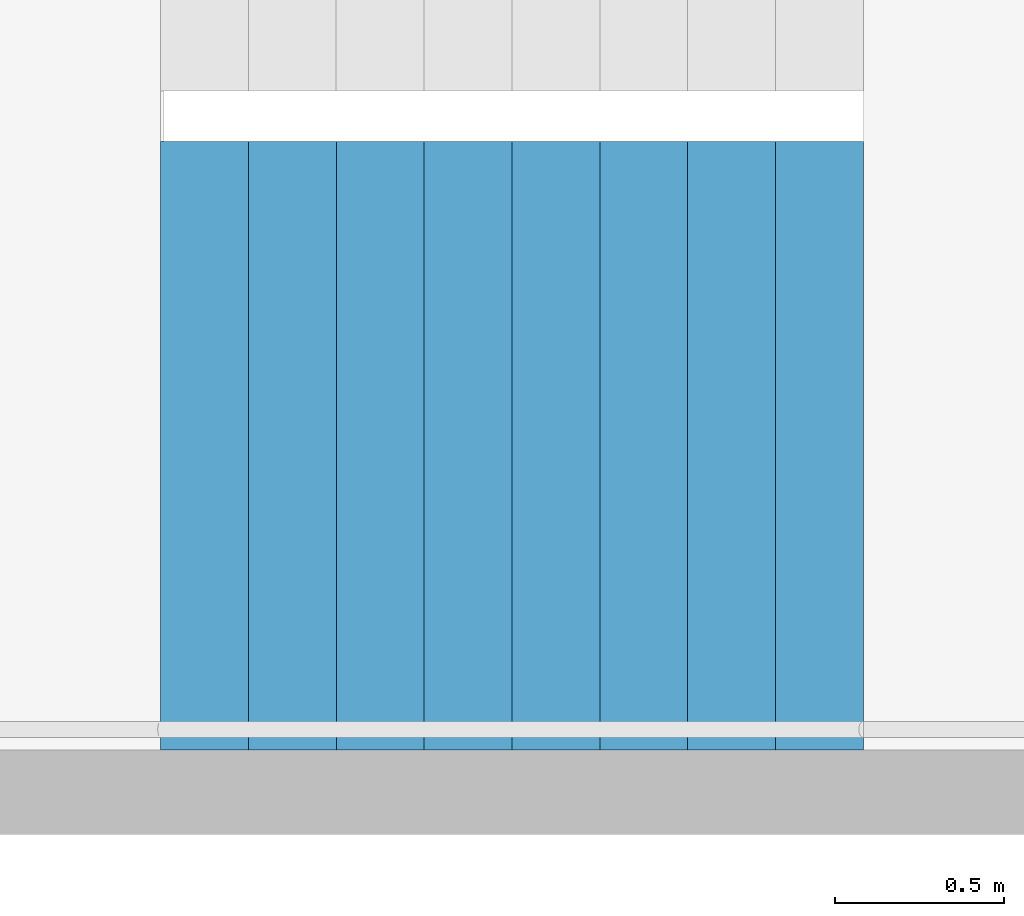
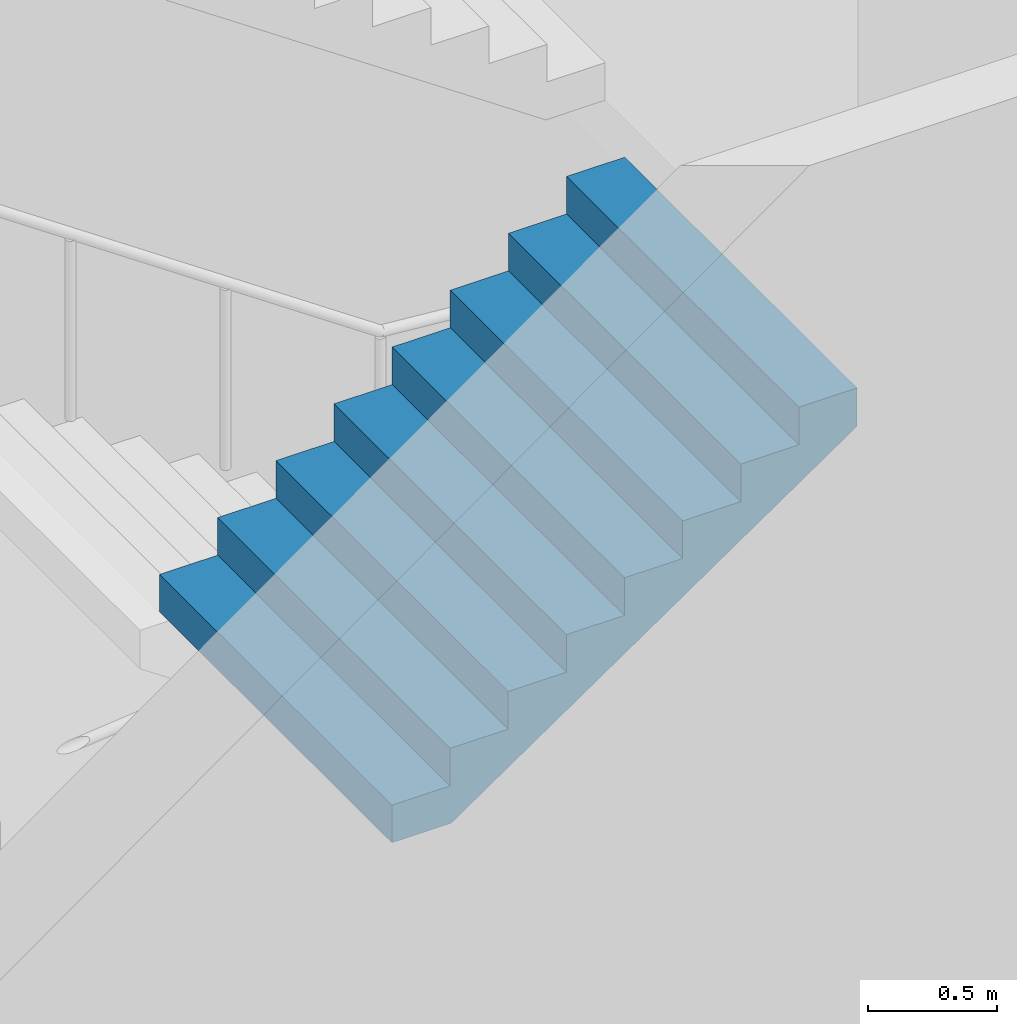
# One storey, part 22 of 43: 1 stair flight, 1 element without a shape of its own.
"""IFC4 building model written with IfcOpenShell, lengths in metres."""

from ifc_helpers import new_model, si_unit, direction, frame, origin, place, context, subcontext, project, spatial, triangles, material, type_object, element, aggregate, save


model = new_model("IFC4")

# Units and contexts
model_context = context("Model", 3, precision=1e-05, world=origin(), true_north=direction((0.0, 1.0)))
body_context = subcontext(model_context, "Body", "Model", "MODEL_VIEW")
ifc_project = project(units=[si_unit("LENGTHUNIT", "METRE"), si_unit("AREAUNIT", "SQUARE_METRE"), si_unit("VOLUMEUNIT", "CUBIC_METRE"), si_unit("PLANEANGLEUNIT", "RADIAN"), si_unit("MASSUNIT", "GRAM", prefix="KILO")], contexts=[model_context])

# Site, building, storey
site_placement = place(None, origin())
site = spatial("IfcSite", under=ifc_project, at=site_placement, CompositionType="ELEMENT")
building_placement = place(site_placement, origin())
building = spatial("IfcBuilding", under=site, at=building_placement, Name="Hakoniwa Tower and Hamabe Station Hall", CompositionType="ELEMENT")
storey_placement = place(building_placement, frame((0.0, 0.0, 124.60009765625)))
storey = spatial("IfcBuildingStorey", under=building, at=storey_placement, Name="L35", CompositionType="ELEMENT", Elevation=124.60009765625)

# Stair, stair flight
ifc_material_1 = material(Name="Concrete C40", Category="concrete")
stair_type = type_object("IfcStairType", Name="ESCAPE STAIR 1800", PredefinedType="HALF_TURN_STAIR", material=ifc_material_1)
stair_placement = place(storey_placement, origin())
stair = element("IfcStair", 1, at=stair_placement, inside=storey, type_object=stair_type, Name="Escape stair ST-1 L35", PredefinedType="HALF_TURN_STAIR")
ifc_material_2 = material(Name="Concrete C40", Category="concrete")
stair_flight_type = type_object("IfcStairFlightType", Name="STAIR FLIGHT 1800", PredefinedType="STRAIGHT", material=ifc_material_2)
stair_flight_placement = place(storey_placement, frame((-24.39990234375, 4.64990234375, 3.199951171875), z_axis=(0.0, 0.0, 1.0), x_axis=(1.0, 0.0, 0.0)))
stair_flight = element("IfcStairFlight", 2, at=stair_flight_placement, type_object=stair_flight_type, Name="ST-1 flight 3", NumberOfRisers=9, NumberOfTreads=8, PredefinedType="STRAIGHT", RiserHeight=0.177777778, TreadLength=0.26, context=body_context, shape_type="Tessellation", body=[
    triangles([(0.0, 0.89990234375, 0.0), (0.260009765625, 0.89990234375, 0.0), (0.265625, 0.89990234375, 0.0), (0.52001953125, 0.89990234375, 0.174072265625), (0.780029296875, 0.89990234375, 0.351806640625), (1.0400390625, 0.89990234375, 0.529541015625), (1.300048828125, 0.89990234375, 0.707275390625), (1.56005859375, 0.89990234375, 0.885009765625), (1.820068359375, 0.89990234375, 1.062744140625), (2.080078125, 0.89990234375, 1.24072265625), (2.080078125, 0.89990234375, 1.422119140625), (1.820068359375, 0.89990234375, 1.422119140625), (1.820068359375, 0.89990234375, 1.244384765625), (1.56005859375, 0.89990234375, 1.244384765625), (1.56005859375, 0.89990234375, 1.066650390625), (1.300048828125, 0.89990234375, 1.066650390625), (1.300048828125, 0.89990234375, 0.888916015625), (1.0400390625, 0.89990234375, 0.888916015625), (1.0400390625, 0.89990234375, 0.711181640625), (0.780029296875, 0.89990234375, 0.711181640625), (0.780029296875, 0.89990234375, 0.533447265625), (0.52001953125, 0.89990234375, 0.533447265625), (0.52001953125, 0.89990234375, 0.35546875), (0.265625, 0.89990234375, 0.35546875), (0.260009765625, 0.89990234375, 0.35546875), (0.260009765625, 0.89990234375, 0.177734375), (0.0, 0.89990234375, 0.177734375), (0.0, 0.06005859375, 0.0), (0.260009765625, 0.06005859375, 0.0), (0.265625, 0.06005859375, 0.0), (0.52001953125, 0.06005859375, 0.174072265625), (0.780029296875, 0.06005859375, 0.351806640625), (1.0400390625, 0.06005859375, 0.529541015625), (1.300048828125, 0.06005859375, 0.707275390625), (1.56005859375, 0.06005859375, 0.885009765625), (1.820068359375, 0.06005859375, 1.062744140625), (2.080078125, 0.06005859375, 1.24072265625), (2.080078125, 0.06005859375, 1.422119140625), (1.820068359375, 0.06005859375, 1.422119140625), (1.820068359375, 0.06005859375, 1.244384765625), (1.56005859375, 0.06005859375, 1.244384765625), (1.56005859375, 0.06005859375, 1.066650390625), (1.300048828125, 0.06005859375, 1.066650390625), (1.300048828125, 0.06005859375, 0.888916015625), (1.0400390625, 0.06005859375, 0.888916015625), (1.0400390625, 0.06005859375, 0.711181640625), (0.780029296875, 0.06005859375, 0.711181640625), (0.780029296875, 0.06005859375, 0.533447265625), (0.52001953125, 0.06005859375, 0.533447265625), (0.52001953125, 0.06005859375, 0.35546875), (0.265625, 0.06005859375, 0.35546875), (0.260009765625, 0.06005859375, 0.35546875), (0.260009765625, 0.06005859375, 0.177734375), (0.0, 0.06005859375, 0.177734375), (0.0, 0.04296875, 0.0), (0.260009765625, 0.04296875, 0.0), (0.265625, 0.04296875, 0.0), (0.52001953125, 0.04296875, 0.174072265625), (0.780029296875, 0.04296875, 0.351806640625), (1.0400390625, 0.04296875, 0.529541015625), (1.300048828125, 0.04296875, 0.707275390625), (1.56005859375, 0.04296875, 0.885009765625), (1.820068359375, 0.04296875, 1.062744140625), (2.080078125, 0.04296875, 1.24072265625), (2.080078125, 0.04296875, 1.422119140625), (1.820068359375, 0.04296875, 1.422119140625), (1.820068359375, 0.04296875, 1.244384765625), (1.56005859375, 0.04296875, 1.244384765625), (1.56005859375, 0.04296875, 1.066650390625), (1.300048828125, 0.04296875, 1.066650390625), (1.300048828125, 0.04296875, 0.888916015625), (1.0400390625, 0.04296875, 0.888916015625), (1.0400390625, 0.04296875, 0.711181640625), (0.780029296875, 0.04296875, 0.711181640625), (0.780029296875, 0.04296875, 0.533447265625), (0.52001953125, 0.04296875, 0.533447265625), (0.52001953125, 0.04296875, 0.35546875), (0.265625, 0.04296875, 0.35546875), (0.260009765625, 0.04296875, 0.35546875), (0.260009765625, 0.04296875, 0.177734375), (0.0, 0.04296875, 0.177734375), (0.0, 0.025634765625, 0.0), (0.260009765625, 0.025634765625, 0.0), (0.265625, 0.025634765625, 0.0), (0.52001953125, 0.025634765625, 0.174072265625), (0.780029296875, 0.025634765625, 0.351806640625), (1.0400390625, 0.025634765625, 0.529541015625), (1.300048828125, 0.025634765625, 0.707275390625), (1.56005859375, 0.025634765625, 0.885009765625), (1.820068359375, 0.025634765625, 1.062744140625), (2.080078125, 0.025634765625, 1.24072265625), (2.080078125, 0.025634765625, 1.422119140625), (1.820068359375, 0.025634765625, 1.422119140625), (1.820068359375, 0.025634765625, 1.244384765625), (1.56005859375, 0.025634765625, 1.244384765625), (1.56005859375, 0.025634765625, 1.066650390625), (1.300048828125, 0.025634765625, 1.066650390625), (1.300048828125, 0.025634765625, 0.888916015625), (1.0400390625, 0.025634765625, 0.888916015625), (1.0400390625, 0.025634765625, 0.711181640625), (0.780029296875, 0.025634765625, 0.711181640625), (0.780029296875, 0.025634765625, 0.533447265625), (0.52001953125, 0.025634765625, 0.533447265625), (0.52001953125, 0.025634765625, 0.35546875), (0.265625, 0.025634765625, 0.35546875), (0.260009765625, 0.025634765625, 0.35546875), (0.260009765625, 0.025634765625, 0.177734375), (0.0, 0.025634765625, 0.177734375), (0.0, 0.008544921875, 0.0), (0.260009765625, 0.008544921875, 0.0), (0.265625, 0.008544921875, 0.0), (0.52001953125, 0.008544921875, 0.174072265625), (0.780029296875, 0.008544921875, 0.351806640625), (1.0400390625, 0.008544921875, 0.529541015625), (1.300048828125, 0.008544921875, 0.707275390625), (1.56005859375, 0.008544921875, 0.885009765625), (1.820068359375, 0.008544921875, 1.062744140625), (2.080078125, 0.008544921875, 1.24072265625), (2.080078125, 0.008544921875, 1.422119140625), (1.820068359375, 0.008544921875, 1.422119140625), (1.820068359375, 0.008544921875, 1.244384765625), (1.56005859375, 0.008544921875, 1.244384765625), (1.56005859375, 0.008544921875, 1.066650390625), (1.300048828125, 0.008544921875, 1.066650390625), (1.300048828125, 0.008544921875, 0.888916015625), (1.0400390625, 0.008544921875, 0.888916015625), (1.0400390625, 0.008544921875, 0.711181640625), (0.780029296875, 0.008544921875, 0.711181640625), (0.780029296875, 0.008544921875, 0.533447265625), (0.52001953125, 0.008544921875, 0.533447265625), (0.52001953125, 0.008544921875, 0.35546875), (0.265625, 0.008544921875, 0.35546875), (0.260009765625, 0.008544921875, 0.35546875), (0.260009765625, 0.008544921875, 0.177734375), (0.0, 0.008544921875, 0.177734375), (0.0, -0.008544921875, 0.0), (0.260009765625, -0.008544921875, 0.0), (0.265625, -0.008544921875, 0.0), (0.52001953125, -0.008544921875, 0.174072265625), (0.780029296875, -0.008544921875, 0.351806640625), (1.0400390625, -0.008544921875, 0.529541015625), (1.300048828125, -0.008544921875, 0.707275390625), (1.56005859375, -0.008544921875, 0.885009765625), (1.820068359375, -0.008544921875, 1.062744140625), (2.080078125, -0.008544921875, 1.24072265625), (2.080078125, -0.008544921875, 1.422119140625), (1.820068359375, -0.008544921875, 1.422119140625), (1.820068359375, -0.008544921875, 1.244384765625), (1.56005859375, -0.008544921875, 1.244384765625), (1.56005859375, -0.008544921875, 1.066650390625), (1.300048828125, -0.008544921875, 1.066650390625), (1.300048828125, -0.008544921875, 0.888916015625), (1.0400390625, -0.008544921875, 0.888916015625), (1.0400390625, -0.008544921875, 0.711181640625), (0.780029296875, -0.008544921875, 0.711181640625), (0.780029296875, -0.008544921875, 0.533447265625), (0.52001953125, -0.008544921875, 0.533447265625), (0.52001953125, -0.008544921875, 0.35546875), (0.265625, -0.008544921875, 0.35546875), (0.260009765625, -0.008544921875, 0.35546875), (0.260009765625, -0.008544921875, 0.177734375), (0.0, -0.008544921875, 0.177734375), (0.0, -0.025634765625, 0.0), (0.260009765625, -0.025634765625, 0.0), (0.265625, -0.025634765625, 0.0), (0.52001953125, -0.025634765625, 0.174072265625), (0.780029296875, -0.025634765625, 0.351806640625), (1.0400390625, -0.025634765625, 0.529541015625), (1.300048828125, -0.025634765625, 0.707275390625), (1.56005859375, -0.025634765625, 0.885009765625), (1.820068359375, -0.025634765625, 1.062744140625), (2.080078125, -0.025634765625, 1.24072265625), (2.080078125, -0.025634765625, 1.422119140625), (1.820068359375, -0.025634765625, 1.422119140625), (1.820068359375, -0.025634765625, 1.244384765625), (1.56005859375, -0.025634765625, 1.244384765625), (1.56005859375, -0.025634765625, 1.066650390625), (1.300048828125, -0.025634765625, 1.066650390625), (1.300048828125, -0.025634765625, 0.888916015625), (1.0400390625, -0.025634765625, 0.888916015625), (1.0400390625, -0.025634765625, 0.711181640625), (0.780029296875, -0.025634765625, 0.711181640625), (0.780029296875, -0.025634765625, 0.533447265625), (0.52001953125, -0.025634765625, 0.533447265625), (0.52001953125, -0.025634765625, 0.35546875), (0.265625, -0.025634765625, 0.35546875), (0.260009765625, -0.025634765625, 0.35546875), (0.260009765625, -0.025634765625, 0.177734375), (0.0, -0.025634765625, 0.177734375), (0.0, -0.04296875, 0.0), (0.260009765625, -0.04296875, 0.0), (0.265625, -0.04296875, 0.0), (0.52001953125, -0.04296875, 0.174072265625), (0.780029296875, -0.04296875, 0.351806640625), (1.0400390625, -0.04296875, 0.529541015625), (1.300048828125, -0.04296875, 0.707275390625), (1.56005859375, -0.04296875, 0.885009765625), (1.820068359375, -0.04296875, 1.062744140625), (2.080078125, -0.04296875, 1.24072265625), (2.080078125, -0.04296875, 1.422119140625), (1.820068359375, -0.04296875, 1.422119140625), (1.820068359375, -0.04296875, 1.244384765625), (1.56005859375, -0.04296875, 1.244384765625), (1.56005859375, -0.04296875, 1.066650390625), (1.300048828125, -0.04296875, 1.066650390625), (1.300048828125, -0.04296875, 0.888916015625), (1.0400390625, -0.04296875, 0.888916015625), (1.0400390625, -0.04296875, 0.711181640625), (0.780029296875, -0.04296875, 0.711181640625), (0.780029296875, -0.04296875, 0.533447265625), (0.52001953125, -0.04296875, 0.533447265625), (0.52001953125, -0.04296875, 0.35546875), (0.265625, -0.04296875, 0.35546875), (0.260009765625, -0.04296875, 0.35546875), (0.260009765625, -0.04296875, 0.177734375), (0.0, -0.04296875, 0.177734375), (0.0, -0.06005859375, 0.0), (0.260009765625, -0.06005859375, 0.0), (0.265625, -0.06005859375, 0.0), (0.52001953125, -0.06005859375, 0.174072265625), (0.780029296875, -0.06005859375, 0.351806640625), (1.0400390625, -0.06005859375, 0.529541015625), (1.300048828125, -0.06005859375, 0.707275390625), (1.56005859375, -0.06005859375, 0.885009765625), (1.820068359375, -0.06005859375, 1.062744140625), (2.080078125, -0.06005859375, 1.24072265625), (2.080078125, -0.06005859375, 1.422119140625), (1.820068359375, -0.06005859375, 1.422119140625), (1.820068359375, -0.06005859375, 1.244384765625), (1.56005859375, -0.06005859375, 1.244384765625), (1.56005859375, -0.06005859375, 1.066650390625), (1.300048828125, -0.06005859375, 1.066650390625), (1.300048828125, -0.06005859375, 0.888916015625), (1.0400390625, -0.06005859375, 0.888916015625), (1.0400390625, -0.06005859375, 0.711181640625), (0.780029296875, -0.06005859375, 0.711181640625), (0.780029296875, -0.06005859375, 0.533447265625), (0.52001953125, -0.06005859375, 0.533447265625), (0.52001953125, -0.06005859375, 0.35546875), (0.265625, -0.06005859375, 0.35546875), (0.260009765625, -0.06005859375, 0.35546875), (0.260009765625, -0.06005859375, 0.177734375), (0.0, -0.06005859375, 0.177734375), (0.0, -0.89990234375, 0.0), (0.260009765625, -0.89990234375, 0.0), (0.265625, -0.89990234375, 0.0), (0.52001953125, -0.89990234375, 0.174072265625), (0.780029296875, -0.89990234375, 0.351806640625), (1.0400390625, -0.89990234375, 0.529541015625), (1.300048828125, -0.89990234375, 0.707275390625), (1.56005859375, -0.89990234375, 0.885009765625), (1.820068359375, -0.89990234375, 1.062744140625), (2.080078125, -0.89990234375, 1.24072265625), (2.080078125, -0.89990234375, 1.422119140625), (1.820068359375, -0.89990234375, 1.422119140625), (1.820068359375, -0.89990234375, 1.244384765625), (1.56005859375, -0.89990234375, 1.244384765625), (1.56005859375, -0.89990234375, 1.066650390625), (1.300048828125, -0.89990234375, 1.066650390625), (1.300048828125, -0.89990234375, 0.888916015625), (1.0400390625, -0.89990234375, 0.888916015625), (1.0400390625, -0.89990234375, 0.711181640625), (0.780029296875, -0.89990234375, 0.711181640625), (0.780029296875, -0.89990234375, 0.533447265625), (0.52001953125, -0.89990234375, 0.533447265625), (0.52001953125, -0.89990234375, 0.35546875), (0.265625, -0.89990234375, 0.35546875), (0.260009765625, -0.89990234375, 0.35546875), (0.260009765625, -0.89990234375, 0.177734375), (0.0, -0.89990234375, 0.177734375)], [[2, 27, 26], [245, 269, 270], [2, 1, 27], [245, 270, 244], [3, 25, 24], [246, 267, 268], [3, 26, 25], [246, 268, 269], [3, 2, 26], [246, 269, 245], [4, 24, 23], [247, 266, 267], [4, 3, 24], [247, 267, 246], [5, 22, 21], [248, 264, 265], [5, 23, 22], [248, 265, 266], [5, 4, 23], [248, 266, 247], [6, 20, 19], [249, 262, 263], [6, 21, 20], [249, 263, 264], [6, 5, 21], [249, 264, 248], [7, 18, 17], [250, 260, 261], [7, 19, 18], [250, 261, 262], [7, 6, 19], [250, 262, 249], [8, 16, 15], [251, 258, 259], [8, 17, 16], [251, 259, 260], [8, 7, 17], [251, 260, 250], [9, 14, 13], [252, 256, 257], [9, 15, 14], [252, 257, 258], [9, 8, 15], [252, 258, 251], [10, 12, 11], [253, 254, 255], [10, 13, 12], [253, 255, 256], [10, 9, 13], [253, 256, 252], [1, 2, 29], [1, 29, 28], [28, 29, 56], [28, 56, 55], [55, 56, 83], [55, 83, 82], [82, 83, 110], [82, 110, 109], [109, 110, 137], [109, 137, 136], [136, 137, 164], [136, 164, 163], [163, 164, 191], [163, 191, 190], [190, 191, 218], [190, 218, 217], [217, 218, 245], [217, 245, 244], [2, 3, 30], [2, 30, 29], [29, 30, 57], [29, 57, 56], [56, 57, 84], [56, 84, 83], [83, 84, 111], [83, 111, 110], [110, 111, 138], [110, 138, 137], [137, 138, 165], [137, 165, 164], [164, 165, 192], [164, 192, 191], [191, 192, 219], [191, 219, 218], [218, 219, 246], [218, 246, 245], [3, 4, 31], [3, 31, 30], [30, 31, 58], [30, 58, 57], [57, 58, 85], [57, 85, 84], [84, 85, 112], [84, 112, 111], [111, 112, 139], [111, 139, 138], [138, 139, 166], [138, 166, 165], [165, 166, 193], [165, 193, 192], [192, 193, 220], [192, 220, 219], [219, 220, 247], [219, 247, 246], [4, 5, 32], [4, 32, 31], [31, 32, 59], [31, 59, 58], [58, 59, 86], [58, 86, 85], [85, 86, 113], [85, 113, 112], [112, 113, 140], [112, 140, 139], [139, 140, 167], [139, 167, 166], [166, 167, 194], [166, 194, 193], [193, 194, 221], [193, 221, 220], [220, 221, 248], [220, 248, 247], [5, 6, 33], [5, 33, 32], [32, 33, 60], [32, 60, 59], [59, 60, 87], [59, 87, 86], [86, 87, 114], [86, 114, 113], [113, 114, 141], [113, 141, 140], [140, 141, 168], [140, 168, 167], [167, 168, 195], [167, 195, 194], [194, 195, 222], [194, 222, 221], [221, 222, 249], [221, 249, 248], [6, 7, 34], [6, 34, 33], [33, 34, 61], [33, 61, 60], [60, 61, 88], [60, 88, 87], [87, 88, 115], [87, 115, 114], [114, 115, 142], [114, 142, 141], [141, 142, 169], [141, 169, 168], [168, 169, 196], [168, 196, 195], [195, 196, 223], [195, 223, 222], [222, 223, 250], [222, 250, 249], [7, 8, 35], [7, 35, 34], [34, 35, 62], [34, 62, 61], [61, 62, 89], [61, 89, 88], [88, 89, 116], [88, 116, 115], [115, 116, 143], [115, 143, 142], [142, 143, 170], [142, 170, 169], [169, 170, 197], [169, 197, 196], [196, 197, 224], [196, 224, 223], [223, 224, 251], [223, 251, 250], [8, 9, 36], [8, 36, 35], [35, 36, 63], [35, 63, 62], [62, 63, 90], [62, 90, 89], [89, 90, 117], [89, 117, 116], [116, 117, 144], [116, 144, 143], [143, 144, 171], [143, 171, 170], [170, 171, 198], [170, 198, 197], [197, 198, 225], [197, 225, 224], [224, 225, 252], [224, 252, 251], [9, 10, 37], [9, 37, 36], [36, 37, 64], [36, 64, 63], [63, 64, 91], [63, 91, 90], [90, 91, 118], [90, 118, 117], [117, 118, 145], [117, 145, 144], [144, 145, 172], [144, 172, 171], [171, 172, 199], [171, 199, 198], [198, 199, 226], [198, 226, 225], [225, 226, 253], [225, 253, 252], [10, 11, 38], [10, 38, 37], [37, 38, 65], [37, 65, 64], [64, 65, 92], [64, 92, 91], [91, 92, 119], [91, 119, 118], [118, 119, 146], [118, 146, 145], [145, 146, 173], [145, 173, 172], [172, 173, 200], [172, 200, 199], [199, 200, 227], [199, 227, 226], [226, 227, 254], [226, 254, 253], [11, 12, 39], [11, 39, 38], [38, 39, 66], [38, 66, 65], [65, 66, 93], [65, 93, 92], [92, 93, 120], [92, 120, 119], [119, 120, 147], [119, 147, 146], [146, 147, 174], [146, 174, 173], [173, 174, 201], [173, 201, 200], [200, 201, 228], [200, 228, 227], [227, 228, 255], [227, 255, 254], [12, 13, 40], [12, 40, 39], [39, 40, 67], [39, 67, 66], [66, 67, 94], [66, 94, 93], [93, 94, 121], [93, 121, 120], [120, 121, 148], [120, 148, 147], [147, 148, 175], [147, 175, 174], [174, 175, 202], [174, 202, 201], [201, 202, 229], [201, 229, 228], [228, 229, 256], [228, 256, 255], [13, 14, 41], [13, 41, 40], [40, 41, 68], [40, 68, 67], [67, 68, 95], [67, 95, 94], [94, 95, 122], [94, 122, 121], [121, 122, 149], [121, 149, 148], [148, 149, 176], [148, 176, 175], [175, 176, 203], [175, 203, 202], [202, 203, 230], [202, 230, 229], [229, 230, 257], [229, 257, 256], [14, 15, 42], [14, 42, 41], [41, 42, 69], [41, 69, 68], [68, 69, 96], [68, 96, 95], [95, 96, 123], [95, 123, 122], [122, 123, 150], [122, 150, 149], [149, 150, 177], [149, 177, 176], [176, 177, 204], [176, 204, 203], [203, 204, 231], [203, 231, 230], [230, 231, 258], [230, 258, 257], [15, 16, 43], [15, 43, 42], [42, 43, 70], [42, 70, 69], [69, 70, 97], [69, 97, 96], [96, 97, 124], [96, 124, 123], [123, 124, 151], [123, 151, 150], [150, 151, 178], [150, 178, 177], [177, 178, 205], [177, 205, 204], [204, 205, 232], [204, 232, 231], [231, 232, 259], [231, 259, 258], [16, 17, 44], [16, 44, 43], [43, 44, 71], [43, 71, 70], [70, 71, 98], [70, 98, 97], [97, 98, 125], [97, 125, 124], [124, 125, 152], [124, 152, 151], [151, 152, 179], [151, 179, 178], [178, 179, 206], [178, 206, 205], [205, 206, 233], [205, 233, 232], [232, 233, 260], [232, 260, 259], [17, 18, 45], [17, 45, 44], [44, 45, 72], [44, 72, 71], [71, 72, 99], [71, 99, 98], [98, 99, 126], [98, 126, 125], [125, 126, 153], [125, 153, 152], [152, 153, 180], [152, 180, 179], [179, 180, 207], [179, 207, 206], [206, 207, 234], [206, 234, 233], [233, 234, 261], [233, 261, 260], [18, 19, 46], [18, 46, 45], [45, 46, 73], [45, 73, 72], [72, 73, 100], [72, 100, 99], [99, 100, 127], [99, 127, 126], [126, 127, 154], [126, 154, 153], [153, 154, 181], [153, 181, 180], [180, 181, 208], [180, 208, 207], [207, 208, 235], [207, 235, 234], [234, 235, 262], [234, 262, 261], [19, 20, 47], [19, 47, 46], [46, 47, 74], [46, 74, 73], [73, 74, 101], [73, 101, 100], [100, 101, 128], [100, 128, 127], [127, 128, 155], [127, 155, 154], [154, 155, 182], [154, 182, 181], [181, 182, 209], [181, 209, 208], [208, 209, 236], [208, 236, 235], [235, 236, 263], [235, 263, 262], [20, 21, 48], [20, 48, 47], [47, 48, 75], [47, 75, 74], [74, 75, 102], [74, 102, 101], [101, 102, 129], [101, 129, 128], [128, 129, 156], [128, 156, 155], [155, 156, 183], [155, 183, 182], [182, 183, 210], [182, 210, 209], [209, 210, 237], [209, 237, 236], [236, 237, 264], [236, 264, 263], [21, 22, 49], [21, 49, 48], [48, 49, 76], [48, 76, 75], [75, 76, 103], [75, 103, 102], [102, 103, 130], [102, 130, 129], [129, 130, 157], [129, 157, 156], [156, 157, 184], [156, 184, 183], [183, 184, 211], [183, 211, 210], [210, 211, 238], [210, 238, 237], [237, 238, 265], [237, 265, 264], [22, 23, 50], [22, 50, 49], [49, 50, 77], [49, 77, 76], [76, 77, 104], [76, 104, 103], [103, 104, 131], [103, 131, 130], [130, 131, 158], [130, 158, 157], [157, 158, 185], [157, 185, 184], [184, 185, 212], [184, 212, 211], [211, 212, 239], [211, 239, 238], [238, 239, 266], [238, 266, 265], [23, 24, 51], [23, 51, 50], [50, 51, 78], [50, 78, 77], [77, 78, 105], [77, 105, 104], [104, 105, 132], [104, 132, 131], [131, 132, 159], [131, 159, 158], [158, 159, 186], [158, 186, 185], [185, 186, 213], [185, 213, 212], [212, 213, 240], [212, 240, 239], [239, 240, 267], [239, 267, 266], [24, 25, 52], [24, 52, 51], [51, 52, 79], [51, 79, 78], [78, 79, 106], [78, 106, 105], [105, 106, 133], [105, 133, 132], [132, 133, 160], [132, 160, 159], [159, 160, 187], [159, 187, 186], [186, 187, 214], [186, 214, 213], [213, 214, 241], [213, 241, 240], [240, 241, 268], [240, 268, 267], [25, 26, 53], [25, 53, 52], [52, 53, 80], [52, 80, 79], [79, 80, 107], [79, 107, 106], [106, 107, 134], [106, 134, 133], [133, 134, 161], [133, 161, 160], [160, 161, 188], [160, 188, 187], [187, 188, 215], [187, 215, 214], [214, 215, 242], [214, 242, 241], [241, 242, 269], [241, 269, 268], [26, 27, 54], [26, 54, 53], [53, 54, 81], [53, 81, 80], [80, 81, 108], [80, 108, 107], [107, 108, 135], [107, 135, 134], [134, 135, 162], [134, 162, 161], [161, 162, 189], [161, 189, 188], [188, 189, 216], [188, 216, 215], [215, 216, 243], [215, 243, 242], [242, 243, 270], [242, 270, 269], [27, 1, 28], [27, 28, 54], [54, 28, 55], [54, 55, 81], [81, 55, 82], [81, 82, 108], [108, 82, 109], [108, 109, 135], [135, 109, 136], [135, 136, 162], [162, 136, 163], [162, 163, 189], [189, 163, 190], [189, 190, 216], [216, 190, 217], [216, 217, 243], [243, 217, 244], [243, 244, 270]], closed=True),
])
aggregate(stair, [stair_flight])

save(model, "model.ifc")
